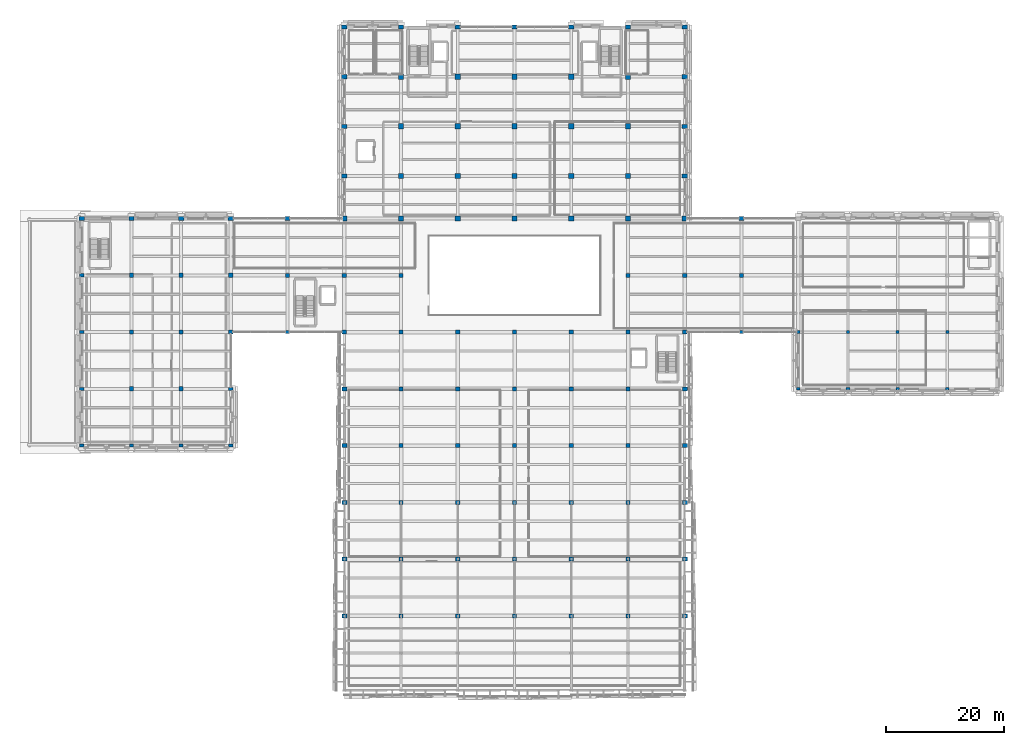
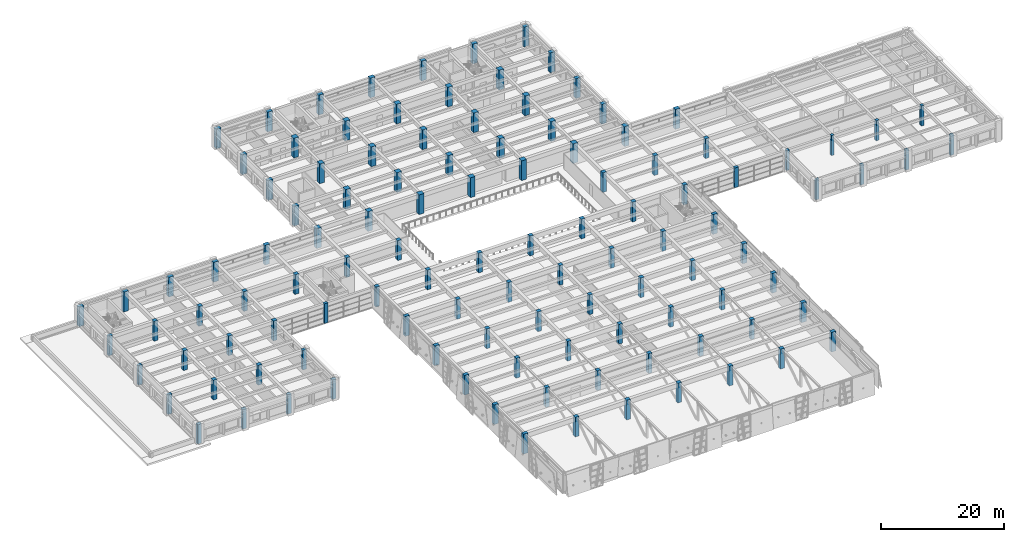
# One storey, part 1 of 62: 115 columns.
"""IFC4 building model written with IfcOpenShell, lengths in metres."""

from ifc_helpers import new_model, si_unit, direction, frame, origin, origin_2d, place, context, subcontext, project, spatial, rectangle, extrude, material, material_profile, profile_set, type_object, element, save


model = new_model("IFC4")

# Units and contexts
model_context = context("Model", 3, precision=1e-05, world=origin(), true_north=direction((0.0, 1.0)))
body_context = subcontext(model_context, "Body", "Model", "MODEL_VIEW")
ifc_project = project(units=[si_unit("LENGTHUNIT", "METRE"), si_unit("AREAUNIT", "SQUARE_METRE"), si_unit("VOLUMEUNIT", "CUBIC_METRE"), si_unit("PLANEANGLEUNIT", "RADIAN"), si_unit("MASSUNIT", "GRAM", prefix="KILO")], contexts=[model_context])

# Site, building, storey
site_placement = place(None, origin())
site = spatial("IfcSite", under=ifc_project, at=site_placement, CompositionType="ELEMENT")
building_placement = place(site_placement, origin())
building = spatial("IfcBuilding", under=site, at=building_placement, Name="Bempovik Park Faculty of Sciences", CompositionType="ELEMENT")
storey_placement = place(building_placement, frame((0.0, 0.0, 9.89990234375)))
storey = spatial("IfcBuildingStorey", under=building, at=storey_placement, Name="L02", CompositionType="ELEMENT", Elevation=9.89990234375)

# Columns
ifc_material_1 = material(Name="Concrete C40/50", Category="concrete")
ifc_material_profile_1 = material_profile(ifc_material_1, rectangle(XDim=0.89990234375, YDim=0.89990234375, at=origin_2d()), Name="RC 900x900")
ifc_profile_set_1 = profile_set([ifc_material_profile_1], Name="Concrete C40/50")
column_type_1 = type_object("IfcColumnType", Name="C-16 RC 900x900", PredefinedType="COLUMN", material=ifc_profile_set_1)
for number, where, z_axis, x_axis, name in (
    (1, (60.0, 87.0, 0.0), (0.0, 0.0, 1.0), (1.0, 0.0, 0.0), "L02 Structural Column (60.0,87.0)"),
    (2, (69.60009765625, 87.0, 0.0), (0.0, 0.0, 1.0), (1.0, 0.0, 0.0), "L02 Structural Column (69.6,87.0)"),
    (3, (69.60009765625, 94.199951171875, 0.0), (0.0, 0.0, 1.0), (1.0, 0.0, 0.0), "L02 Structural Column (69.6,94.2)"),
    (4, (69.60009765625, 102.60009765625, 0.0), (0.0, 0.0, 1.0), (1.0, 0.0, 0.0), "L02 Structural Column (69.6,102.6)"),
    (5, (69.60009765625, 111.0, 0.0), (0.0, 0.0, 1.0), (1.0, 0.0, 0.0), "L02 Structural Column (69.6,111.0)"),
    (6, (79.199951171875, 87.0, 0.0), (0.0, 0.0, 1.0), (1.0, 0.0, 0.0), "L02 Structural Column (79.2,87.0)"),
    (7, (79.199951171875, 94.199951171875, 0.0), (0.0, 0.0, 1.0), (1.0, 0.0, 0.0), "L02 Structural Column (79.2,94.2)"),
    (8, (79.199951171875, 102.60009765625, 0.0), (0.0, 0.0, 1.0), (1.0, 0.0, 0.0), "L02 Structural Column (79.2,102.6)"),
    (9, (79.199951171875, 111.0, 0.0), (0.0, 0.0, 1.0), (1.0, 0.0, 0.0), "L02 Structural Column (79.2,111.0)"),
    (10, (88.800048828125, 87.0, 0.0), (0.0, 0.0, 1.0), (1.0, 0.0, 0.0), "L02 Structural Column (88.8,87.0)"),
    (11, (88.800048828125, 94.199951171875, 0.0), (0.0, 0.0, 1.0), (1.0, 0.0, 0.0), "L02 Structural Column (88.8,94.2)"),
    (12, (88.800048828125, 102.60009765625, 0.0), (0.0, 0.0, 1.0), (1.0, 0.0, 0.0), "L02 Structural Column (88.8,102.6)"),
    (13, (88.800048828125, 111.0, 0.0), (0.0, 0.0, 1.0), (1.0, 0.0, 0.0), "L02 Structural Column (88.8,111.0)"),
    (14, (98.39990234375, 87.0, 0.0), (0.0, 0.0, 1.0), (1.0, 0.0, 0.0), "L02 Structural Column (98.4,87.0)"),
    (15, (98.39990234375, 94.199951171875, 0.0), (0.0, 0.0, 1.0), (1.0, 0.0, 0.0), "L02 Structural Column (98.4,94.2)"),
    (16, (98.39990234375, 102.60009765625, 0.0), (0.0, 0.0, 1.0), (1.0, 0.0, 0.0), "L02 Structural Column (98.4,102.6)"),
    (17, (98.39990234375, 111.0, 0.0), (0.0, 0.0, 1.0), (1.0, 0.0, 0.0), "L02 Structural Column (98.4,111.0)"),
    (18, (108.0, 87.0, 0.0), (0.0, 0.0, 1.0), (1.0, 0.0, 0.0), "L02 Structural Column (108.0,87.0)"),
    (19, (108.0, 94.199951171875, 0.0), (0.0, 0.0, 1.0), (1.0, 0.0, 0.0), "L02 Structural Column (108.0,94.2)"),
    (20, (108.0, 102.60009765625, 0.0), (0.0, 0.0, 1.0), (1.0, 0.0, 0.0), "L02 Structural Column (108.0,102.6)"),
    (21, (108.0, 111.0, 0.0), (0.0, 0.0, 1.0), (1.0, 0.0, 0.0), "L02 Structural Column (108.0,111.0)"),
    (22, (117.60009765625, 87.0, 0.0), (0.0, 0.0, 1.0), (1.0, 0.0, 0.0), "L02 Structural Column (117.6,87.0)"),
):
    element("IfcColumn", number, at=place(storey_placement, frame(where, z_axis=z_axis, x_axis=x_axis)), inside=storey, type_object=column_type_1, Name=name, PredefinedType="COLUMN", context=body_context, shape_type="SweptSolid", body=[
        extrude(rectangle(XDim=0.89990234375, YDim=0.89990234375, at=origin_2d()), origin(), (0.0, 0.0, 1.0), 3.900146484375),
    ])
ifc_material_profile_2 = material_profile(ifc_material_1, rectangle(XDim=0.719970703125, YDim=0.5400390625, at=origin_2d()), Name="RC 720x540")
ifc_profile_set_2 = profile_set([ifc_material_profile_2], Name="Concrete C40/50")
column_type_2 = type_object("IfcColumnType", Name="C-18 RC 720x540", PredefinedType="COLUMN", material=ifc_profile_set_2)
for number, where, z_axis, x_axis, name in (
    (23, (15.60009765625, 48.60009765625, 0.0), (0.0, 0.0, 1.0), (1.0, 0.0, 0.0), "L02 Structural Column (15.6,48.6)"),
    (24, (15.60009765625, 58.199951171875, 0.0), (0.0, 0.0, 1.0), (1.0, 0.0, 0.0), "L02 Structural Column (15.6,58.2)"),
    (25, (15.60009765625, 67.800048828125, 0.0), (0.0, 0.0, 1.0), (1.0, 0.0, 0.0), "L02 Structural Column (15.6,67.8)"),
    (26, (15.60009765625, 77.39990234375, 0.0), (0.0, 0.0, 1.0), (1.0, 0.0, 0.0), "L02 Structural Column (15.6,77.4)"),
    (27, (24.0, 48.60009765625, 0.0), (0.0, 0.0, 1.0), (1.0, 0.0, 0.0), "L02 Structural Column (24.0,48.6)"),
    (28, (32.39990234375, 48.60009765625, 0.0), (0.0, 0.0, 1.0), (1.0, 0.0, 0.0), "L02 Structural Column (32.4,48.6)"),
    (29, (40.800048828125, 48.60009765625, 0.0), (0.0, 0.0, 1.0), (1.0, 0.0, 0.0), "L02 Structural Column (40.8,48.6)"),
    (30, (40.800048828125, 58.199951171875, 0.0), (0.0, 0.0, 1.0), (1.0, 0.0, 0.0), "L02 Structural Column (40.8,58.2)"),
):
    element("IfcColumn", number, at=place(storey_placement, frame(where, z_axis=z_axis, x_axis=x_axis)), inside=storey, type_object=column_type_2, Name=name, PredefinedType="COLUMN", context=body_context, shape_type="SweptSolid", body=[
        extrude(rectangle(XDim=0.719970703125, YDim=0.5400390625, at=origin_2d()), origin(), (0.0, 0.0, 1.0), 3.900146484375),
    ])
ifc_material_profile_3 = material_profile(ifc_material_1, rectangle(XDim=0.89990234375, YDim=0.699951171875, at=origin_2d()), Name="RC 900x700")
ifc_profile_set_3 = profile_set([ifc_material_profile_3], Name="Concrete C40/50")
column_type_3 = type_object("IfcColumnType", Name="C-25 RC 900x700", PredefinedType="COLUMN", material=ifc_profile_set_3)
for number, where, z_axis, x_axis, name in (
    (31, (15.60009765625, 87.0, 0.0), (0.0, 0.0, 1.0), (1.0, 0.0, 0.0), "L02 Structural Column (15.6,87.0)"),
    (32, (24.0, 87.0, 0.0), (0.0, 0.0, 1.0), (1.0, 0.0, 0.0), "L02 Structural Column (24.0,87.0)"),
    (33, (32.39990234375, 87.0, 0.0), (0.0, 0.0, 1.0), (1.0, 0.0, 0.0), "L02 Structural Column (32.4,87.0)"),
    (34, (40.800048828125, 87.0, 0.0), (0.0, 0.0, 1.0), (1.0, 0.0, 0.0), "L02 Structural Column (40.8,87.0)"),
    (35, (50.39990234375, 87.0, 0.0), (0.0, 0.0, 1.0), (1.0, 0.0, 0.0), "L02 Structural Column (50.4,87.0)"),
    (36, (60.0, 94.199951171875, 0.0), (0.0, 0.0, 1.0), (1.0, 0.0, 0.0), "L02 Structural Column (60.0,94.2)"),
    (37, (60.0, 102.60009765625, 0.0), (0.0, 0.0, 1.0), (1.0, 0.0, 0.0), "L02 Structural Column (60.0,102.6)"),
    (38, (60.0, 111.0, 0.0), (0.0, 0.0, 1.0), (1.0, 0.0, 0.0), "L02 Structural Column (60.0,111.0)"),
    (39, (60.0, 119.39990234375, 0.0), (0.0, 0.0, 1.0), (1.0, 0.0, 0.0), "L02 Structural Column (60.0,119.4)"),
    (40, (69.60009765625, 119.39990234375, 0.0), (0.0, 0.0, 1.0), (1.0, 0.0, 0.0), "L02 Structural Column (69.6,119.4)"),
    (41, (79.199951171875, 119.39990234375, 0.0), (0.0, 0.0, 1.0), (1.0, 0.0, 0.0), "L02 Structural Column (79.2,119.4)"),
    (42, (88.800048828125, 119.39990234375, 0.0), (0.0, 0.0, 1.0), (1.0, 0.0, 0.0), "L02 Structural Column (88.8,119.4)"),
    (43, (98.39990234375, 119.39990234375, 0.0), (0.0, 0.0, 1.0), (1.0, 0.0, 0.0), "L02 Structural Column (98.4,119.4)"),
    (44, (108.0, 119.39990234375, 0.0), (0.0, 0.0, 1.0), (1.0, 0.0, 0.0), "L02 Structural Column (108.0,119.4)"),
    (45, (117.60009765625, 94.199951171875, 0.0), (0.0, 0.0, 1.0), (1.0, 0.0, 0.0), "L02 Structural Column (117.6,94.2)"),
    (46, (117.60009765625, 102.60009765625, 0.0), (0.0, 0.0, 1.0), (1.0, 0.0, 0.0), "L02 Structural Column (117.6,102.6)"),
    (47, (117.60009765625, 111.0, 0.0), (0.0, 0.0, 1.0), (1.0, 0.0, 0.0), "L02 Structural Column (117.6,111.0)"),
    (48, (117.60009765625, 119.39990234375, 0.0), (0.0, 0.0, 1.0), (1.0, 0.0, 0.0), "L02 Structural Column (117.6,119.4)"),
    (49, (127.199951171875, 87.0, 0.0), (0.0, 0.0, 1.0), (1.0, 0.0, 0.0), "L02 Structural Column (127.2,87.0)"),
):
    element("IfcColumn", number, at=place(storey_placement, frame(where, z_axis=z_axis, x_axis=x_axis)), inside=storey, type_object=column_type_3, Name=name, PredefinedType="COLUMN", context=body_context, shape_type="SweptSolid", body=[
        extrude(rectangle(XDim=0.89990234375, YDim=0.699951171875, at=origin_2d()), origin(), (0.0, 0.0, 1.0), 3.900146484375),
    ])
ifc_material_profile_4 = material_profile(ifc_material_1, rectangle(XDim=0.719970703125, YDim=0.719970703125, at=origin_2d()), Name="RC 720x720")
ifc_profile_set_4 = profile_set([ifc_material_profile_4], Name="Concrete C40/50")
column_type_4 = type_object("IfcColumnType", Name="C-28 RC 720x720", PredefinedType="COLUMN", material=ifc_profile_set_4)
for number, where, z_axis, x_axis, name in (
    (50, (24.0, 58.199951171875, 0.0), (0.0, 0.0, 1.0), (1.0, 0.0, 0.0), "L02 Structural Column (24.0,58.2)"),
    (51, (24.0, 67.800048828125, 0.0), (0.0, 0.0, 1.0), (1.0, 0.0, 0.0), "L02 Structural Column (24.0,67.8)"),
    (52, (24.0, 77.39990234375, 0.0), (0.0, 0.0, 1.0), (1.0, 0.0, 0.0), "L02 Structural Column (24.0,77.4)"),
    (53, (32.39990234375, 58.199951171875, 0.0), (0.0, 0.0, 1.0), (1.0, 0.0, 0.0), "L02 Structural Column (32.4,58.2)"),
    (54, (32.39990234375, 67.800048828125, 0.0), (0.0, 0.0, 1.0), (1.0, 0.0, 0.0), "L02 Structural Column (32.4,67.8)"),
    (55, (32.39990234375, 77.39990234375, 0.0), (0.0, 0.0, 1.0), (1.0, 0.0, 0.0), "L02 Structural Column (32.4,77.4)"),
    (56, (40.800048828125, 67.800048828125, 0.0), (0.0, 0.0, 1.0), (1.0, 0.0, 0.0), "L02 Structural Column (40.8,67.8)"),
    (57, (40.800048828125, 77.39990234375, 0.0), (0.0, 0.0, 1.0), (1.0, 0.0, 0.0), "L02 Structural Column (40.8,77.4)"),
):
    element("IfcColumn", number, at=place(storey_placement, frame(where, z_axis=z_axis, x_axis=x_axis)), inside=storey, type_object=column_type_4, Name=name, PredefinedType="COLUMN", context=body_context, shape_type="SweptSolid", body=[
        extrude(rectangle(XDim=0.719970703125, YDim=0.719970703125, at=origin_2d()), origin(), (0.0, 0.0, 1.0), 3.900146484375),
    ])
ifc_material_profile_5 = material_profile(ifc_material_1, rectangle(XDim=0.699951171875, YDim=0.699951171875, at=origin_2d()), Name="RC 700x700")
ifc_profile_set_5 = profile_set([ifc_material_profile_5], Name="Concrete C40/50")
column_type_5 = type_object("IfcColumnType", Name="C-34 RC 700x700", PredefinedType="COLUMN", material=ifc_profile_set_5)
for number, where, z_axis, x_axis, name in (
    (58, (50.39990234375, 77.39990234375, 0.0), (0.0, 0.0, 1.0), (1.0, 0.0, 0.0), "L02 Structural Column (50.4,77.4)"),
    (59, (60.0, 67.800048828125, 0.0), (0.0, 0.0, 1.0), (1.0, 0.0, 0.0), "L02 Structural Column (60.0,67.8)"),
    (60, (60.0, 77.39990234375, 0.0), (0.0, 0.0, 1.0), (1.0, 0.0, 0.0), "L02 Structural Column (60.0,77.4)"),
    (61, (69.60009765625, 19.800048828125, 0.0), (0.0, 0.0, 1.0), (1.0, 0.0, 0.0), "L02 Structural Column (69.6,19.8)"),
    (62, (69.60009765625, 29.39990234375, 0.0), (0.0, 0.0, 1.0), (1.0, 0.0, 0.0), "L02 Structural Column (69.6,29.4)"),
    (63, (69.60009765625, 39.0, 0.0), (0.0, 0.0, 1.0), (1.0, 0.0, 0.0), "L02 Structural Column (69.6,39.0)"),
    (64, (69.60009765625, 48.60009765625, 0.0), (0.0, 0.0, 1.0), (1.0, 0.0, 0.0), "L02 Structural Column (69.6,48.6)"),
    (65, (69.60009765625, 58.199951171875, 0.0), (0.0, 0.0, 1.0), (1.0, 0.0, 0.0), "L02 Structural Column (69.6,58.2)"),
    (66, (69.60009765625, 67.800048828125, 0.0), (0.0, 0.0, 1.0), (1.0, 0.0, 0.0), "L02 Structural Column (69.6,67.8)"),
    (67, (69.60009765625, 77.39990234375, 0.0), (0.0, 0.0, 1.0), (1.0, 0.0, 0.0), "L02 Structural Column (69.6,77.4)"),
    (68, (79.199951171875, 19.800048828125, 0.0), (0.0, 0.0, 1.0), (1.0, 0.0, 0.0), "L02 Structural Column (79.2,19.8)"),
    (69, (79.199951171875, 29.39990234375, 0.0), (0.0, 0.0, 1.0), (1.0, 0.0, 0.0), "L02 Structural Column (79.2,29.4)"),
    (70, (79.199951171875, 39.0, 0.0), (0.0, 0.0, 1.0), (1.0, 0.0, 0.0), "L02 Structural Column (79.2,39.0)"),
    (71, (79.199951171875, 48.60009765625, 0.0), (0.0, 0.0, 1.0), (1.0, 0.0, 0.0), "L02 Structural Column (79.2,48.6)"),
    (72, (79.199951171875, 58.199951171875, 0.0), (0.0, 0.0, 1.0), (1.0, 0.0, 0.0), "L02 Structural Column (79.2,58.2)"),
    (73, (79.199951171875, 67.800048828125, 0.0), (0.0, 0.0, 1.0), (1.0, 0.0, 0.0), "L02 Structural Column (79.2,67.8)"),
    (74, (88.800048828125, 19.800048828125, 0.0), (0.0, 0.0, 1.0), (1.0, 0.0, 0.0), "L02 Structural Column (88.8,19.8)"),
    (75, (88.800048828125, 29.39990234375, 0.0), (0.0, 0.0, 1.0), (1.0, 0.0, 0.0), "L02 Structural Column (88.8,29.4)"),
    (76, (88.800048828125, 39.0, 0.0), (0.0, 0.0, 1.0), (1.0, 0.0, 0.0), "L02 Structural Column (88.8,39.0)"),
    (77, (88.800048828125, 48.60009765625, 0.0), (0.0, 0.0, 1.0), (1.0, 0.0, 0.0), "L02 Structural Column (88.8,48.6)"),
    (78, (88.800048828125, 58.199951171875, 0.0), (0.0, 0.0, 1.0), (1.0, 0.0, 0.0), "L02 Structural Column (88.8,58.2)"),
    (79, (88.800048828125, 67.800048828125, 0.0), (0.0, 0.0, 1.0), (1.0, 0.0, 0.0), "L02 Structural Column (88.8,67.8)"),
    (80, (98.39990234375, 19.800048828125, 0.0), (0.0, 0.0, 1.0), (1.0, 0.0, 0.0), "L02 Structural Column (98.4,19.8)"),
    (81, (98.39990234375, 29.39990234375, 0.0), (0.0, 0.0, 1.0), (1.0, 0.0, 0.0), "L02 Structural Column (98.4,29.4)"),
    (82, (98.39990234375, 39.0, 0.0), (0.0, 0.0, 1.0), (1.0, 0.0, 0.0), "L02 Structural Column (98.4,39.0)"),
    (83, (98.39990234375, 48.60009765625, 0.0), (0.0, 0.0, 1.0), (1.0, 0.0, 0.0), "L02 Structural Column (98.4,48.6)"),
    (84, (98.39990234375, 58.199951171875, 0.0), (0.0, 0.0, 1.0), (1.0, 0.0, 0.0), "L02 Structural Column (98.4,58.2)"),
    (85, (98.39990234375, 67.800048828125, 0.0), (0.0, 0.0, 1.0), (1.0, 0.0, 0.0), "L02 Structural Column (98.4,67.8)"),
    (86, (108.0, 19.800048828125, 0.0), (0.0, 0.0, 1.0), (1.0, 0.0, 0.0), "L02 Structural Column (108.0,19.8)"),
    (87, (108.0, 29.39990234375, 0.0), (0.0, 0.0, 1.0), (1.0, 0.0, 0.0), "L02 Structural Column (108.0,29.4)"),
    (88, (108.0, 39.0, 0.0), (0.0, 0.0, 1.0), (1.0, 0.0, 0.0), "L02 Structural Column (108.0,39.0)"),
    (89, (108.0, 48.60009765625, 0.0), (0.0, 0.0, 1.0), (1.0, 0.0, 0.0), "L02 Structural Column (108.0,48.6)"),
    (90, (108.0, 58.199951171875, 0.0), (0.0, 0.0, 1.0), (1.0, 0.0, 0.0), "L02 Structural Column (108.0,58.2)"),
    (91, (108.0, 67.800048828125, 0.0), (0.0, 0.0, 1.0), (1.0, 0.0, 0.0), "L02 Structural Column (108.0,67.8)"),
    (92, (108.0, 77.39990234375, 0.0), (0.0, 0.0, 1.0), (1.0, 0.0, 0.0), "L02 Structural Column (108.0,77.4)"),
    (93, (117.60009765625, 67.800048828125, 0.0), (0.0, 0.0, 1.0), (1.0, 0.0, 0.0), "L02 Structural Column (117.6,67.8)"),
    (94, (117.60009765625, 77.39990234375, 0.0), (0.0, 0.0, 1.0), (1.0, 0.0, 0.0), "L02 Structural Column (117.6,77.4)"),
    (95, (127.199951171875, 77.39990234375, 0.0), (0.0, 0.0, 1.0), (1.0, 0.0, 0.0), "L02 Structural Column (127.2,77.4)"),
):
    element("IfcColumn", number, at=place(storey_placement, frame(where, z_axis=z_axis, x_axis=x_axis)), inside=storey, type_object=column_type_5, Name=name, PredefinedType="COLUMN", context=body_context, shape_type="SweptSolid", body=[
        extrude(rectangle(XDim=0.699951171875, YDim=0.699951171875, at=origin_2d()), origin(), (0.0, 0.0, 1.0), 3.900146484375),
    ])
ifc_material_2 = material(Name="Concrete C35/45", Category="concrete")
ifc_material_profile_6 = material_profile(ifc_material_2, rectangle(XDim=0.52001953125, YDim=0.52001953125, at=origin_2d()), Name="RC 520x520")
ifc_profile_set_6 = profile_set([ifc_material_profile_6], Name="Concrete C35/45")
column_type_6 = type_object("IfcColumnType", Name="C-51 RC 520x520", PredefinedType="COLUMN", material=ifc_profile_set_6)
column_placement = place(storey_placement, frame((136.800048828125, 67.800048828125, 0.0), z_axis=(0.0, 0.0, 1.0), x_axis=(1.0, 0.0, 0.0)))
element("IfcColumn", 96, at=column_placement, inside=storey, type_object=column_type_6, Name="L02 Structural Column (136.8,67.8)", PredefinedType="COLUMN", context=body_context, shape_type="SweptSolid", body=[
    extrude(rectangle(XDim=0.52001953125, YDim=0.52001953125, at=origin_2d()), origin(), (0.0, 0.0, 1.0), 3.960205078125),
])
for number, where, z_axis, x_axis, name in (
    (97, (145.199951171875, 67.800048828125, 0.0), (0.0, 0.0, 1.0), (1.0, 0.0, 0.0), "L02 Structural Column (145.2,67.8)"),
    (98, (153.60009765625, 67.800048828125, 0.0), (0.0, 0.0, 1.0), (1.0, 0.0, 0.0), "L02 Structural Column (153.6,67.8)"),
    (99, (162.0, 67.800048828125, 0.0), (0.0, 0.0, 1.0), (1.0, 0.0, 0.0), "L02 Structural Column (162.0,67.8)"),
):
    element("IfcColumn", number, at=place(storey_placement, frame(where, z_axis=z_axis, x_axis=x_axis)), inside=storey, type_object=column_type_6, Name=name, PredefinedType="COLUMN", context=body_context, shape_type="SweptSolid", body=[
        extrude(rectangle(XDim=0.52001953125, YDim=0.52001953125, at=origin_2d()), origin(), (0.0, 0.0, 1.0), 3.97998046875),
    ])
ifc_material_profile_7 = material_profile(ifc_material_2, rectangle(XDim=0.6201171875, YDim=0.4599609375, at=origin_2d()), Name="RC 620x460")
ifc_profile_set_7 = profile_set([ifc_material_profile_7], Name="Concrete C35/45")
column_type_7 = type_object("IfcColumnType", Name="C-59 RC 620x460", PredefinedType="COLUMN", material=ifc_profile_set_7)
for number, where, z_axis, x_axis, name in (
    (100, (136.800048828125, 58.199951171875, 0.0), (0.0, 0.0, 1.0), (1.0, 0.0, 0.0), "L02 Structural Column (136.8,58.2)"),
    (101, (145.199951171875, 58.199951171875, 0.0), (0.0, 0.0, 1.0), (1.0, 0.0, 0.0), "L02 Structural Column (145.2,58.2)"),
    (102, (153.60009765625, 58.199951171875, 0.0), (0.0, 0.0, 1.0), (1.0, 0.0, 0.0), "L02 Structural Column (153.6,58.2)"),
    (103, (162.0, 58.199951171875, 0.0), (0.0, 0.0, 1.0), (1.0, 0.0, 0.0), "L02 Structural Column (162.0,58.2)"),
):
    element("IfcColumn", number, at=place(storey_placement, frame(where, z_axis=z_axis, x_axis=x_axis)), inside=storey, type_object=column_type_7, Name=name, PredefinedType="COLUMN", context=body_context, shape_type="SweptSolid", body=[
        extrude(rectangle(XDim=0.6201171875, YDim=0.4599609375, at=origin_2d()), origin(), (0.0, 0.0, 1.0), 3.97998046875),
    ])
ifc_material_profile_8 = material_profile(ifc_material_1, rectangle(XDim=0.85009765625, YDim=0.64990234375, at=origin_2d()), Name="RC 850x650")
ifc_profile_set_8 = profile_set([ifc_material_profile_8], Name="Concrete C40/50")
column_type_8 = type_object("IfcColumnType", Name="C-71 RC 850x650", PredefinedType="COLUMN", material=ifc_profile_set_8)
for number, where, z_axis, x_axis, name in (
    (104, (60.0, 19.800048828125, 0.0), (0.0, 0.0, 1.0), (1.0, 0.0, 0.0), "L02 Structural Column (60.0,19.8)"),
    (105, (60.0, 29.39990234375, 0.0), (0.0, 0.0, 1.0), (1.0, 0.0, 0.0), "L02 Structural Column (60.0,29.4)"),
    (106, (60.0, 39.0, 0.0), (0.0, 0.0, 1.0), (1.0, 0.0, 0.0), "L02 Structural Column (60.0,39.0)"),
    (107, (60.0, 48.60009765625, 0.0), (0.0, 0.0, 1.0), (1.0, 0.0, 0.0), "L02 Structural Column (60.0,48.6)"),
    (108, (60.0, 58.199951171875, 0.0), (0.0, 0.0, 1.0), (1.0, 0.0, 0.0), "L02 Structural Column (60.0,58.2)"),
    (109, (117.60009765625, 19.800048828125, 0.0), (0.0, 0.0, 1.0), (1.0, 0.0, 0.0), "L02 Structural Column (117.6,19.8)"),
    (110, (117.60009765625, 29.39990234375, 0.0), (0.0, 0.0, 1.0), (1.0, 0.0, 0.0), "L02 Structural Column (117.6,29.4)"),
    (111, (117.60009765625, 39.0, 0.0), (0.0, 0.0, 1.0), (1.0, 0.0, 0.0), "L02 Structural Column (117.6,39.0)"),
    (112, (117.60009765625, 48.60009765625, 0.0), (0.0, 0.0, 1.0), (1.0, 0.0, 0.0), "L02 Structural Column (117.6,48.6)"),
    (113, (117.60009765625, 58.199951171875, 0.0), (0.0, 0.0, 1.0), (1.0, 0.0, 0.0), "L02 Structural Column (117.6,58.2)"),
):
    element("IfcColumn", number, at=place(storey_placement, frame(where, z_axis=z_axis, x_axis=x_axis)), inside=storey, type_object=column_type_8, Name=name, PredefinedType="COLUMN", context=body_context, shape_type="SweptSolid", body=[
        extrude(rectangle(XDim=0.85009765625, YDim=0.64990234375, at=origin_2d()), origin(), (0.0, 0.0, 1.0), 3.900146484375),
    ])
ifc_material_profile_9 = material_profile(ifc_material_1, rectangle(XDim=0.699951171875, YDim=0.5, at=origin_2d()), Name="RC 700x500")
ifc_profile_set_9 = profile_set([ifc_material_profile_9], Name="Concrete C40/50")
column_type_9 = type_object("IfcColumnType", Name="C-75 RC 700x500", PredefinedType="COLUMN", material=ifc_profile_set_9)
for number, where, z_axis, x_axis, name in (
    (114, (50.39990234375, 67.800048828125, 0.0), (0.0, 0.0, 1.0), (1.0, 0.0, 0.0), "L02 Structural Column (50.4,67.8)"),
    (115, (127.199951171875, 67.800048828125, 0.0), (0.0, 0.0, 1.0), (1.0, 0.0, 0.0), "L02 Structural Column (127.2,67.8)"),
):
    element("IfcColumn", number, at=place(storey_placement, frame(where, z_axis=z_axis, x_axis=x_axis)), inside=storey, type_object=column_type_9, Name=name, PredefinedType="COLUMN", context=body_context, shape_type="SweptSolid", body=[
        extrude(rectangle(XDim=0.699951171875, YDim=0.5, at=origin_2d()), origin(), (0.0, 0.0, 1.0), 3.900146484375),
    ])

save(model, "model.ifc")
